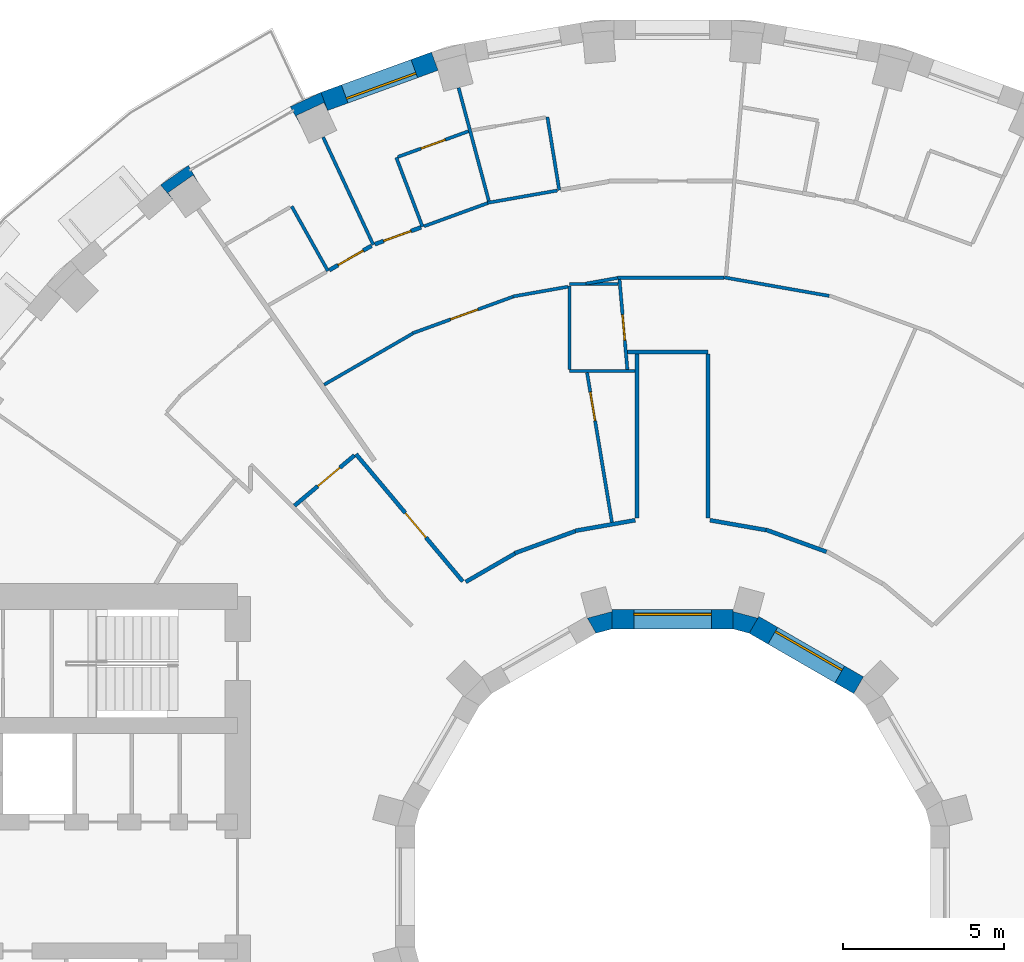
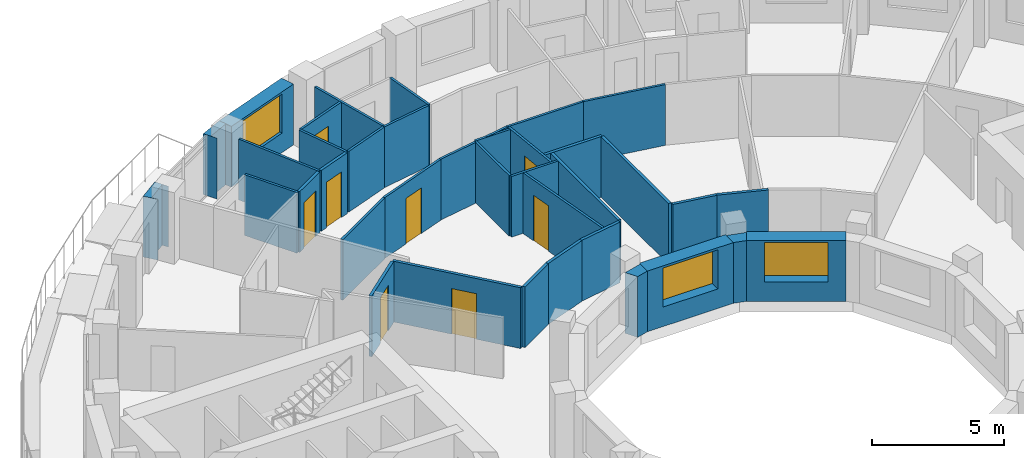
# One storey, part 11 of 15: 38 walls, 8 doors, 3 windows, 11 openings.
"""IFC4 building model written with IfcOpenShell, lengths in metres."""

import ifcopenshell
import ifcopenshell.guid

model = None  # the IFC model being written
_history = None  # IfcOwnerHistory: only IFC2X3 demands one
_inside = {}  # id of a spatial element -> (the spatial element, [elements in it])
_under = {}  # id of a project, library or spatial element -> (it, [spatial elements below it])
_declared = {}  # id of a project -> (the project, [libraries it declares])
_typed = {}  # id of a type object -> (the type object, [elements of that type])
_made_of = {}  # id of a material, layer set ... -> (it, [elements and type objects made of it])


def new_model(schema):
    """Start an empty IFC model of exactly this schema.

    Asked for "IFC4X3", IfcOpenShell would pick the latest addendum, in which some entities
    have other attributes; the version numbers below select the first issue.
    IFC2X3 requires an IfcOwnerHistory on every rooted entity: one is made here for all.
    """
    global model, _history
    if schema == "IFC4X3":
        model = ifcopenshell.file(schema_version=(4, 3, 0, 0))
    else:
        model = ifcopenshell.file(schema=schema)
    _inside.clear()
    _under.clear()
    _declared.clear()
    _typed.clear()
    _made_of.clear()
    _history = None
    if model.schema == "IFC2X3":
        org = make("IfcOrganization", Name="unknown")
        user = make(
            "IfcPersonAndOrganization",
            ThePerson=make("IfcPerson", FamilyName="unknown"),
            TheOrganization=org,
        )
        app = make(
            "IfcApplication",
            ApplicationDeveloper=org,
            Version="unknown",
            ApplicationFullName="unknown",
            ApplicationIdentifier="unknown",
        )
        _history = make(
            "IfcOwnerHistory",
            OwningUser=user,
            OwningApplication=app,
            ChangeAction="ADDED",
            CreationDate=0,
        )
    return model


def make(cls, **values):
    """One entity of the class cls with the attributes given. An attribute that is None is left unset."""
    return model.create_entity(
        cls, **{name: value for name, value in values.items() if value is not None}
    )


def rooted(cls, **values):
    """An entity with a GlobalId (a new one), such as an element, a storey or a relation."""
    return make(cls, GlobalId=ifcopenshell.guid.new(), OwnerHistory=_history, **values)


def si_unit(unit_type, name, prefix=None):
    """IfcSIUnit, for example si_unit("LENGTHUNIT", "METRE", prefix="MILLI")."""
    return make("IfcSIUnit", UnitType=unit_type, Prefix=prefix, Name=name)


def assignment(units):
    """IfcUnitAssignment: the units of a project."""
    return None if units is None else make("IfcUnitAssignment", Units=units)


def point(xyz):
    """IfcCartesianPoint."""
    return None if xyz is None else make("IfcCartesianPoint", Coordinates=xyz)


def direction(xyz):
    """IfcDirection."""
    return None if xyz is None else make("IfcDirection", DirectionRatios=xyz)


def frame(location, z_axis=None, x_axis=None):
    """IfcAxis2Placement3D, a coordinate frame: its origin and axes. An axis left out is left unset."""
    return make(
        "IfcAxis2Placement3D",
        Location=point(location),
        Axis=direction(z_axis),
        RefDirection=direction(x_axis),
    )


def frame_2d(location, x_axis=None):
    """IfcAxis2Placement2D, a coordinate frame in the plane: its origin and x axis."""
    return make(
        "IfcAxis2Placement2D", Location=point(location), RefDirection=direction(x_axis)
    )


def origin():
    """The frame at (0, 0, 0) with its axes left unset."""
    return frame((0.0, 0.0, 0.0))


def place(relative_to, where):
    """IfcLocalPlacement: puts the frame where relative to a parent placement (None: the world)."""
    return make(
        "IfcLocalPlacement", PlacementRelTo=relative_to, RelativePlacement=where
    )


def context(
    kind, dimensions, precision=None, world=None, true_north=None, identifier=None
):
    """IfcGeometricRepresentationContext, for example the 3D "Model" context."""
    return make(
        "IfcGeometricRepresentationContext",
        ContextIdentifier=identifier,
        ContextType=kind,
        CoordinateSpaceDimension=dimensions,
        Precision=precision,
        WorldCoordinateSystem=world,
        TrueNorth=true_north,
    )


def subcontext(parent, identifier, kind, view, scale=None):
    """IfcGeometricRepresentationSubContext, for example "Body" below "Model"."""
    return make(
        "IfcGeometricRepresentationSubContext",
        ContextIdentifier=identifier,
        ContextType=kind,
        ParentContext=parent,
        TargetScale=scale,
        TargetView=view,
    )


def project(units=None, contexts=None):
    """IfcProject with its units and contexts."""
    return rooted(
        "IfcProject",
        Name="project",
        RepresentationContexts=contexts,
        UnitsInContext=assignment(units),
    )


def spatial(cls, under=None, at=None, **own):
    """A site, building, storey or space (cls), placed at a placement, below another one or the project."""
    s = rooted(cls, ObjectPlacement=at, **own)
    if under is not None:
        _under.setdefault(under.id(), (under, []))[1].append(s)
    return s


def polyline(points):
    """IfcPolyline through the points."""
    return make("IfcPolyline", Points=[point(p) for p in points])


def profile(cls, at=None, kind="AREA", **sizes):
    """A parametric profile (cls). Its sizes go by their IFC names, for example OverallWidth=200.0."""
    return make(cls, ProfileType=kind, Position=at, **sizes)


def rectangle(**sizes):
    """IfcRectangleProfileDef."""
    return profile("IfcRectangleProfileDef", **sizes)


def outline(outer, holes=None, kind="AREA"):
    """IfcArbitraryClosedProfileDef: a profile drawn as a closed curve; with holes, ...WithVoids."""
    if holes is None:
        return make("IfcArbitraryClosedProfileDef", ProfileType=kind, OuterCurve=outer)
    return make(
        "IfcArbitraryProfileDefWithVoids",
        ProfileType=kind,
        OuterCurve=outer,
        InnerCurves=holes,
    )


def extrude(swept, where, along, depth):
    """IfcExtrudedAreaSolid: the profile swept, set in the frame where, extruded along a direction by depth."""
    return make(
        "IfcExtrudedAreaSolid",
        SweptArea=swept,
        Position=where,
        ExtrudedDirection=direction(along),
        Depth=depth,
    )


def shape(context_of_items, identifier, shape_type, items):
    """IfcShapeRepresentation: the items that make up one representation, for example the "Body"."""
    return make(
        "IfcShapeRepresentation",
        ContextOfItems=context_of_items,
        RepresentationIdentifier=identifier,
        RepresentationType=shape_type,
        Items=items,
    )


def material(Name=None, Category=None):
    """IfcMaterial."""
    return make("IfcMaterial", Name=Name, Category=Category)


def layer(
    of_material, thickness, ventilated=None, Name=None, Category=None, Priority=None
):
    """IfcMaterialLayer: one layer of a wall or slab, of a material (None: an air gap)."""
    return make(
        "IfcMaterialLayer",
        Material=of_material,
        LayerThickness=thickness,
        IsVentilated=ventilated,
        Name=Name,
        Category=Category,
        Priority=Priority,
    )


def layer_set(layers, Name=None):
    """IfcMaterialLayerSet."""
    return make("IfcMaterialLayerSet", MaterialLayers=layers, LayerSetName=Name)


def made_of(thing, what):
    """Note that an element or type object is made of a material, layer set ...; save() writes the relation."""
    if what is not None:
        _made_of.setdefault(what.id(), (what, []))[1].append(thing)
    return thing


def type_object(cls, material=None, **own):
    """A type object (cls), such as IfcWallType, which elements share."""
    return made_of(rooted(cls, **own), material)


def element(
    cls,
    number,
    at=None,
    inside=None,
    cuts=None,
    type_object=None,
    material=None,
    context=None,
    identifier="Body",
    shape_type=None,
    held_by="IfcProductDefinitionShape",
    body=None,
    shapes=None,
    **own,
):
    """One element of the class cls, such as IfcWall. Its Tag is "e" and its number.

    at: its placement. inside: the storey or other place that contains it. cuts: it is an
    opening in that element (IfcRelVoidsElement). A single representation is given by context,
    identifier, shape_type and body (its items); several are given by shapes. held_by: the class
    of the entity that holds the representations. save() writes the other relations.
    """
    e = rooted(cls, Tag="e%d" % number, ObjectPlacement=at, **own)
    if body is not None:
        shapes = [shape(context, identifier, shape_type, body)]
    if shapes is not None:
        e.Representation = make(held_by, Representations=shapes)
    if inside is not None:
        _inside.setdefault(inside.id(), (inside, []))[1].append(e)
    if cuts is not None:
        rooted(
            "IfcRelVoidsElement", RelatingBuildingElement=cuts, RelatedOpeningElement=e
        )
    if type_object is not None:
        _typed.setdefault(type_object.id(), (type_object, []))[1].append(e)
    return made_of(e, material)


def fill(opening, filler):
    """IfcRelFillsElement: the door or window that sits in an opening."""
    return rooted(
        "IfcRelFillsElement",
        RelatingOpeningElement=opening,
        RelatedBuildingElement=filler,
    )


def aggregate(whole, parts):
    """IfcRelAggregates: a whole, such as a stair, and the parts it consists of."""
    return rooted("IfcRelAggregates", RelatingObject=whole, RelatedObjects=parts)


def save(model, path):
    """Write the relations noted so far, then the file.

    IfcRelAggregates (storeys below a building ...), IfcRelContainedInSpatialStructure (elements
    in a storey), IfcRelDefinesByType, IfcRelAssociatesMaterial and IfcRelDeclares: one each for
    every whole, place, type object, material and project.
    """
    for whole, parts in _under.values():
        aggregate(whole, parts)
    for where, things in _inside.values():
        rooted(
            "IfcRelContainedInSpatialStructure",
            RelatedElements=things,
            RelatingStructure=where,
        )
    for kind, things in _typed.values():
        rooted("IfcRelDefinesByType", RelatedObjects=things, RelatingType=kind)
    for what, things in _made_of.values():
        rooted("IfcRelAssociatesMaterial", RelatedObjects=things, RelatingMaterial=what)
    for by, libraries in _declared.values():
        rooted("IfcRelDeclares", RelatingContext=by, RelatedDefinitions=libraries)
    model.write(path)


model = new_model("IFC4")

# Units and contexts
model_context = context("Model", 3, precision=1e-05, world=origin(), true_north=direction((0.0, 1.0)))
body_context = subcontext(model_context, "Body", "Model", "MODEL_VIEW")
ifc_project = project(units=[si_unit("LENGTHUNIT", "METRE"), si_unit("AREAUNIT", "SQUARE_METRE"), si_unit("VOLUMEUNIT", "CUBIC_METRE"), si_unit("PLANEANGLEUNIT", "RADIAN"), si_unit("MASSUNIT", "GRAM", prefix="KILO")], contexts=[model_context])

# Site, building, storey
site_placement = place(None, origin())
site = spatial("IfcSite", under=ifc_project, at=site_placement, CompositionType="ELEMENT")
building_placement = place(site_placement, origin())
building = spatial("IfcBuilding", under=site, at=building_placement, Name="Saqina Gate Tower", CompositionType="ELEMENT")
storey_placement = place(building_placement, frame((0.0, 0.0, 108.39990234375)))
storey = spatial("IfcBuildingStorey", under=building, at=storey_placement, Name="L30", CompositionType="ELEMENT", Elevation=108.39990234375)

# Walls
ifc_material_1 = material(Name="Brick masonry (buff)", Category="masonry")
wall_type_1 = type_object("IfcWallType", Name="BRICK PIER COPING BUFF", PredefinedType="SOLIDWALL", material=ifc_material_1)
wall_1_placement = place(storey_placement, origin())
element("IfcWall", 1, at=wall_1_placement, inside=storey, type_object=wall_type_1, Name="Pier cap L30 column 12", PredefinedType="SOLIDWALL", context=body_context, shape_type="SweptSolid", body=[
    extrude(outline(polyline([(-10.913330078125, 24.6513671875), (-11.869140625, 24.205810546875), (-11.569091796875, 23.68603515625), (-11.6826171875, 23.9296875), (-10.82177734375, 24.331298828125), (-10.7080078125, 24.08740234375), (-10.913330078125, 24.6513671875)])), origin(), (0.0, 0.0, 1.0), 2.800048828125),
])
wall_2_placement = place(storey_placement, origin())
element("IfcWall", 2, at=wall_2_placement, inside=storey, type_object=wall_type_1, Name="Pier cap L30 column 13", PredefinedType="SOLIDWALL", context=body_context, shape_type="SweptSolid", body=[
    extrude(outline(polyline([(-15.89208984375, 21.77685546875), (-15.50634765625, 21.317138671875), (-15.66064453125, 21.53759765625), (-14.88232421875, 22.08251953125), (-14.728271484375, 21.862060546875), (-15.0283203125, 22.3818359375), (-15.89208984375, 21.77685546875)])), origin(), (0.0, 0.0, 1.0), 2.800048828125),
])

# Wall, opening, window
ifc_material_2 = material(Name="Brick masonry (buff)", Category="masonry")
ifc_layer_1 = layer(ifc_material_2, 0.60009765625)
ifc_layer_set_1 = layer_set([ifc_layer_1], Name="FW-BRICK-BUFF")
wall_type_2 = type_object("IfcWallType", Name="FW-BRICK-BUFF", PredefinedType="SOLIDWALL", material=ifc_layer_set_1)
wall_3_placement = place(storey_placement, frame((-7.3828125, 25.616943359375, 0.0), z_axis=(0.0, 0.0, 1.0), x_axis=(-0.939703505393, -0.341990236633, 0.0)))
wall_3 = element("IfcWall", 3, at=wall_3_placement, inside=storey, type_object=wall_type_2, Name="Facade wall L30 facet 11", PredefinedType="SOLIDWALL", context=body_context, shape_type="SweptSolid", body=[
    extrude(rectangle(XDim=3.64794921875, YDim=0.60009765625, at=frame_2d((1.823974609375, 0.0))), origin(), (0.0, 0.0, 1.0), 2.800048828125),
])
opening_1_placement = place(wall_3_placement, frame((0.673828125, 0.0, 0.89990234375)))
opening_1 = element("IfcOpeningElement", 4, at=opening_1_placement, cuts=wall_3, Name="Opening G08-W09", PredefinedType="OPENING", context=body_context, shape_type="SweptSolid", body=[
    extrude(rectangle(XDim=2.300048828125, YDim=1.800048828125, at=frame_2d((1.14990234375, 0.89990234375))), frame((0.0, 0.31201171875, 0.0), z_axis=(0.0, -1.0, 0.0), x_axis=(1.0, 0.0, 0.0)), (0.0, 0.0, 1.0), 0.6240234375),
])
ifc_material_3 = material(Name="Aluminium glazing", Category="aluminium")
window_type_1 = type_object("IfcWindowType", Name="WN-B", PartitioningType="SINGLE_PANEL", PredefinedType="WINDOW", material=ifc_material_3)
window_1_placement = place(opening_1_placement, origin())
window_1 = element("IfcWindow", 5, at=window_1_placement, inside=storey, type_object=window_type_1, Name="Window L30 facet 11", OverallHeight=1.800048828125, OverallWidth=2.300048828125, PartitioningType="SINGLE_PANEL", PredefinedType="WINDOW", context=body_context, shape_type="SweptSolid", body=[
    extrude(rectangle(XDim=2.300048828125, YDim=1.800048828125, at=frame_2d((1.14990234375, 0.89990234375))), frame((0.0, 0.179931640625, 0.0), z_axis=(0.0, -1.0, 0.0), x_axis=(1.0, 0.0, 0.0)), (0.0, 0.0, 1.0), 0.06005859375),
])
fill(opening_1, window_1)

ifc_material_4 = material(Name="Glazed ceramic tile", Category="ceramic")
ifc_layer_2 = layer(ifc_material_4, 0.60009765625)
ifc_layer_set_2 = layer_set([ifc_layer_2], Name="IW-TILE")
wall_type_3 = type_object("IfcWallType", Name="IW-TILE", PredefinedType="SOLIDWALL", material=ifc_layer_set_2)
wall_4_placement = place(storey_placement, frame((5.772705078125, 6.251220703125, 0.0), z_axis=(0.0, 0.0, 1.0), x_axis=(-0.86604563398, 0.499964958637, 0.0)))
wall_4 = element("IfcWall", 6, at=wall_4_placement, inside=storey, type_object=wall_type_3, Name="Well wall L30 facet 2", PredefinedType="SOLIDWALL", context=body_context, shape_type="SweptSolid", body=[
    extrude(rectangle(XDim=3.747314453125, YDim=0.60009765625, at=frame_2d((1.87353515625, 0.0))), origin(), (0.0, 0.0, 1.0), 2.800048828125),
])
opening_2_placement = place(wall_4_placement, frame((0.673583984375, 0.0, 0.89990234375)))
opening_2 = element("IfcOpeningElement", 7, at=opening_2_placement, cuts=wall_4, Name="Opening G08-W24", PredefinedType="OPENING", context=body_context, shape_type="SweptSolid", body=[
    extrude(rectangle(XDim=2.39990234375, YDim=1.800048828125, at=frame_2d((1.199951171875, 0.89990234375))), frame((0.0, 0.31201171875, 0.0), z_axis=(0.0, -1.0, 0.0), x_axis=(1.0, 0.0, 0.0)), (0.0, 0.0, 1.0), 0.6240234375),
])
ifc_material_5 = material(Name="Aluminium glazing", Category="aluminium")
window_type_2 = type_object("IfcWindowType", Name="WN-W", PartitioningType="SINGLE_PANEL", PredefinedType="WINDOW", material=ifc_material_5)
window_2_placement = place(opening_2_placement, origin())
window_2 = element("IfcWindow", 8, at=window_2_placement, inside=storey, type_object=window_type_2, Name="Well window L30 facet 2", OverallHeight=1.800048828125, OverallWidth=2.39990234375, PartitioningType="SINGLE_PANEL", PredefinedType="WINDOW", context=body_context, shape_type="SweptSolid", body=[
    extrude(rectangle(XDim=2.39990234375, YDim=1.800048828125, at=frame_2d((1.199951171875, 0.89990234375))), frame((0.0, -0.119873046875, 0.0), z_axis=(0.0, -1.0, 0.0), x_axis=(1.0, 0.0, 0.0)), (0.0, 0.0, 1.0), 0.06005859375),
])
fill(opening_2, window_2)

wall_5_placement = place(storey_placement, frame((1.873779296875, 8.300048828125, 0.0), z_axis=(0.0, 0.0, 1.0), x_axis=(-1.0, 0.0, 0.0)))
wall_5 = element("IfcWall", 9, at=wall_5_placement, inside=storey, type_object=wall_type_3, Name="Well wall L30 facet 3", PredefinedType="SOLIDWALL", context=body_context, shape_type="SweptSolid", body=[
    extrude(rectangle(XDim=3.74755859375, YDim=0.60009765625, at=frame_2d((1.873779296875, 0.0))), origin(), (0.0, 0.0, 1.0), 2.800048828125),
])
opening_3_placement = place(wall_5_placement, frame((0.673583984375, 0.0, 0.89990234375)))
opening_3 = element("IfcOpeningElement", 10, at=opening_3_placement, cuts=wall_5, Name="Opening G08-W25", PredefinedType="OPENING", context=body_context, shape_type="SweptSolid", body=[
    extrude(rectangle(XDim=2.39990234375, YDim=1.800048828125, at=frame_2d((1.199951171875, 0.89990234375))), frame((0.0, 0.31201171875, 0.0), z_axis=(0.0, -1.0, 0.0), x_axis=(1.0, 0.0, 0.0)), (0.0, 0.0, 1.0), 0.6240234375),
])
window_3_placement = place(opening_3_placement, origin())
window_3 = element("IfcWindow", 11, at=window_3_placement, inside=storey, type_object=window_type_2, Name="Well window L30 facet 3", OverallHeight=1.800048828125, OverallWidth=2.39990234375, PartitioningType="SINGLE_PANEL", PredefinedType="WINDOW", context=body_context, shape_type="SweptSolid", body=[
    extrude(rectangle(XDim=2.39990234375, YDim=1.800048828125, at=frame_2d((1.199951171875, 0.89990234375))), frame((0.0, -0.119873046875, 0.0), z_axis=(0.0, -1.0, 0.0), x_axis=(1.0, 0.0, 0.0)), (0.0, 0.0, 1.0), 0.06005859375),
])
fill(opening_3, window_3)

# Wall, opening, door
ifc_material_6 = material(Name="Gypsum board on steel studs, 100 mm", Category="steel")
ifc_layer_3 = layer(ifc_material_6, 0.10009765625)
ifc_layer_set_3 = layer_set([ifc_layer_3], Name="PARTITION 100")
wall_type_4 = type_object("IfcWallType", Name="PARTITION 100", PredefinedType="PARTITIONING", material=ifc_layer_set_3)
wall_6_placement = place(storey_placement, frame((-1.64892578125, 18.84912109375, 0.0), z_axis=(0.0, 0.0, 1.0), x_axis=(0.087061215869, -0.996202963603, 0.0)))
wall_6 = element("IfcWall", 12, at=wall_6_placement, inside=storey, type_object=wall_type_4, Name="PARTITION PW3-01", PredefinedType="PARTITIONING", context=body_context, shape_type="SweptSolid", body=[
    extrude(rectangle(XDim=2.80712890625, YDim=0.10009765625, at=frame_2d((1.403564453125, 0.0))), origin(), (0.0, 0.0, 1.0), 2.800048828125),
])
opening_4_placement = place(wall_6_placement, frame((1.103271484375, 0.0, 0.0)))
opening_4 = element("IfcOpeningElement", 13, at=opening_4_placement, cuts=wall_6, Name="Opening G08-D10", PredefinedType="OPENING", context=body_context, shape_type="SweptSolid", body=[
    extrude(rectangle(XDim=0.800048828125, YDim=2.10009765625, at=frame_2d((0.39990234375, 1.050048828125))), frame((0.0, 0.06201171875, 0.0), z_axis=(0.0, -1.0, 0.0), x_axis=(1.0, 0.0, 0.0)), (0.0, 0.0, 1.0), 0.1240234375),
])
ifc_material_7 = material(Name="Timber door leaf, 800 mm", Category="wood")
door_type_1 = type_object("IfcDoorType", Name="DOOR 800 TIMBER", OperationType="SINGLE_SWING_LEFT", PredefinedType="DOOR", material=ifc_material_7)
door_1_placement = place(opening_4_placement, origin())
door_1 = element("IfcDoor", 14, at=door_1_placement, inside=storey, type_object=door_type_1, Name="DOOR G08-D10", OperationType="SINGLE_SWING_RIGHT", OverallHeight=2.10009765625, OverallWidth=0.800048828125, PredefinedType="DOOR", context=body_context, shape_type="SweptSolid", body=[
    extrude(rectangle(XDim=0.800048828125, YDim=2.10009765625, at=frame_2d((0.39990234375, 1.050048828125))), frame((0.0, 0.02490234375, 0.0), z_axis=(0.0, -1.0, 0.0), x_axis=(1.0, 0.0, 0.0)), (0.0, 0.0, 1.0), 0.050048828125),
])
fill(opening_4, door_1)

# Wall
wall_7_placement = place(storey_placement, frame((-3.886962890625, 23.885009765625, 0.0), z_axis=(0.0, 0.0, 1.0), x_axis=(0.160403826344, -0.987051474085, 0.0)))
element("IfcWall", 15, at=wall_7_placement, inside=storey, type_object=wall_type_4, Name="PARTITION PW3-03", PredefinedType="PARTITIONING", context=body_context, shape_type="SweptSolid", body=[
    extrude(rectangle(XDim=2.2998046875, YDim=0.10009765625, at=frame_2d((1.14990234375, 0.0))), origin(), (0.0, 0.0, 1.0), 2.800048828125),
])

# Wall, opening, door
wall_8_placement = place(storey_placement, frame((-2.654541015625, 15.95068359375, 0.0), z_axis=(0.0, 0.0, 1.0), x_axis=(0.164012054584, -0.986458334625, 0.0)))
wall_8 = element("IfcWall", 16, at=wall_8_placement, inside=storey, type_object=wall_type_4, Name="PARTITION PW3-05", PredefinedType="PARTITIONING", context=body_context, shape_type="SweptSolid", body=[
    extrude(rectangle(XDim=4.706787109375, YDim=0.10009765625, at=frame_2d((2.353515625, 0.0))), origin(), (0.0, 0.0, 1.0), 2.800048828125),
])
opening_5_placement = place(wall_8_placement, frame((0.609619140625, 0.0, 0.0)))
opening_5 = element("IfcOpeningElement", 17, at=opening_5_placement, cuts=wall_8, Name="Opening G08-D11", PredefinedType="OPENING", context=body_context, shape_type="SweptSolid", body=[
    extrude(rectangle(XDim=0.89990234375, YDim=2.10009765625, at=frame_2d((0.449951171875, 1.050048828125))), frame((0.0, 0.06201171875, 0.0), z_axis=(0.0, -1.0, 0.0), x_axis=(1.0, 0.0, 0.0)), (0.0, 0.0, 1.0), 0.1240234375),
])
ifc_material_8 = material(Name="Timber door leaf, 900 mm", Category="wood")
door_type_2 = type_object("IfcDoorType", Name="DOOR 900 TIMBER", OperationType="SINGLE_SWING_LEFT", PredefinedType="DOOR", material=ifc_material_8)
door_2_placement = place(opening_5_placement, frame((0.89990234375, 0.0, 0.0), z_axis=(0.0, 0.0, 1.0), x_axis=(-1.0, 0.0, 0.0)))
door_2 = element("IfcDoor", 18, at=door_2_placement, inside=storey, type_object=door_type_2, Name="DOOR G08-D11", OperationType="SINGLE_SWING_RIGHT", OverallHeight=2.10009765625, OverallWidth=0.89990234375, PredefinedType="DOOR", context=body_context, shape_type="SweptSolid", body=[
    extrude(rectangle(XDim=0.89990234375, YDim=2.10009765625, at=frame_2d((0.449951171875, 1.050048828125))), frame((0.0, 0.02490234375, 0.0), z_axis=(0.0, -1.0, 0.0), x_axis=(1.0, 0.0, 0.0)), (0.0, 0.0, 1.0), 0.050048828125),
])
fill(opening_5, door_2)

# Walls
wall_9_placement = place(storey_placement, frame((-6.642333984375, 24.79052734375, 0.0), z_axis=(0.0, 0.0, 1.0), x_axis=(0.258373404153, -0.966045125254, 0.0)))
element("IfcWall", 19, at=wall_9_placement, inside=storey, type_object=wall_type_4, Name="PARTITION PW3-07", PredefinedType="PARTITIONING", context=body_context, shape_type="SweptSolid", body=[
    extrude(rectangle(XDim=3.634033203125, YDim=0.10009765625, at=frame_2d((1.81689453125, 0.0))), origin(), (0.0, 0.0, 1.0), 2.800048828125),
])
wall_10_placement = place(storey_placement, frame((-8.575927734375, 22.62890625, 0.0), z_axis=(0.0, 0.0, 1.0), x_axis=(0.354308635081, -0.935128542558, 0.0)))
element("IfcWall", 20, at=wall_10_placement, inside=storey, type_object=wall_type_4, Name="PARTITION PW3-11", PredefinedType="PARTITIONING", context=body_context, shape_type="SweptSolid", body=[
    extrude(rectangle(XDim=2.300048828125, YDim=0.10009765625, at=frame_2d((1.14990234375, 0.0))), origin(), (0.0, 0.0, 1.0), 2.800048828125),
])
wall_11_placement = place(storey_placement, frame((-10.8466796875, 23.26025390625, 0.0), z_axis=(0.0, 0.0, 1.0), x_axis=(0.422500901097, -0.906362503953, 0.0)))
element("IfcWall", 21, at=wall_11_placement, inside=storey, type_object=wall_type_4, Name="PARTITION PW3-12", PredefinedType="PARTITIONING", context=body_context, shape_type="SweptSolid", body=[
    extrude(rectangle(XDim=3.684326171875, YDim=0.10009765625, at=frame_2d((1.84228515625, 0.0))), origin(), (0.0, 0.0, 1.0), 2.800048828125),
])
wall_12_placement = place(storey_placement, frame((-11.822021484375, 21.114990234375, 0.0), z_axis=(0.0, 0.0, 1.0), x_axis=(0.488622759198, -0.872495157117, 0.0)))
element("IfcWall", 22, at=wall_12_placement, inside=storey, type_object=wall_type_4, Name="PARTITION PW3-14", PredefinedType="PARTITIONING", context=body_context, shape_type="SweptSolid", body=[
    extrude(rectangle(XDim=2.30029296875, YDim=0.10009765625, at=frame_2d((1.150146484375, 0.0))), origin(), (0.0, 0.0, 1.0), 2.800048828125),
])
wall_13_placement = place(storey_placement, frame((1.60302734375, 18.90771484375, 0.0), z_axis=(0.0, 0.0, 1.0), x_axis=(0.984831814927, -0.173511660439, 0.0)))
element("IfcWall", 23, at=wall_13_placement, inside=storey, type_object=wall_type_4, Name="PARTITION PW3-39", PredefinedType="PARTITIONING", context=body_context, shape_type="SweptSolid", body=[
    extrude(rectangle(XDim=3.30810546875, YDim=0.10009765625, at=frame_2d((1.654052734375, 0.0))), origin(), (0.0, 0.0, 1.0), 2.800048828125),
])
wall_14_placement = place(storey_placement, frame((-3.199951171875, 16.0, 0.0), z_axis=(0.0, 0.0, 1.0), x_axis=(1.0, 0.0, 0.0)))
element("IfcWall", 24, at=wall_14_placement, inside=storey, type_object=wall_type_4, Name="PARTITION PW3-44", PredefinedType="PARTITIONING", context=body_context, shape_type="SweptSolid", body=[
    extrude(rectangle(XDim=2.037353515625, YDim=0.10009765625, at=frame_2d((1.0185546875, 0.0))), origin(), (0.0, 0.0, 1.0), 2.800048828125),
])
wall_15_placement = place(storey_placement, frame((-3.197998046875, 18.699951171875, 0.0), z_axis=(0.0, 0.0, 1.0), x_axis=(1.0, 0.0, 0.0)))
element("IfcWall", 25, at=wall_15_placement, inside=storey, type_object=wall_type_4, Name="PARTITION PW3-45", PredefinedType="PARTITIONING", context=body_context, shape_type="SweptSolid", body=[
    extrude(rectangle(XDim=1.510986328125, YDim=0.10009765625, at=frame_2d((0.75537109375, 0.0))), origin(), (0.0, 0.0, 1.0), 2.800048828125),
])
wall_16_placement = place(storey_placement, frame((-1.703857421875, 18.89892578125, 0.0), z_axis=(0.0, 0.0, 1.0), x_axis=(1.0, 0.0, 0.0)))
element("IfcWall", 26, at=wall_16_placement, inside=storey, type_object=wall_type_4, Name="PARTITION PW3-46", PredefinedType="PARTITIONING", context=body_context, shape_type="SweptSolid", body=[
    extrude(rectangle(XDim=3.306884765625, YDim=0.10009765625, at=frame_2d((1.6533203125, 0.0))), origin(), (0.0, 0.0, 1.0), 2.800048828125),
])
wall_17_placement = place(storey_placement, frame((-4.959716796875, 18.3154296875, 0.0), z_axis=(0.0, 0.0, 1.0), x_axis=(0.984767989426, 0.173873537385, 0.0)))
element("IfcWall", 27, at=wall_17_placement, inside=storey, type_object=wall_type_4, Name="PARTITION PW3-50", PredefinedType="PARTITIONING", context=body_context, shape_type="SweptSolid", body=[
    extrude(rectangle(XDim=1.73681640625, YDim=0.10009765625, at=frame_2d((0.868408203125, 0.0))), origin(), (0.0, 0.0, 1.0), 2.800048828125),
])
wall_18_placement = place(storey_placement, frame((-2.6923828125, 18.715576171875, 0.0), z_axis=(0.0, 0.0, 1.0), x_axis=(0.984773780307, 0.173840736366, 0.0)))
element("IfcWall", 28, at=wall_18_placement, inside=storey, type_object=wall_type_4, Name="PARTITION PW3-51", PredefinedType="PARTITIONING", context=body_context, shape_type="SweptSolid", body=[
    extrude(rectangle(XDim=1.005615234375, YDim=0.10009765625, at=frame_2d((0.5029296875, 0.0))), origin(), (0.0, 0.0, 1.0), 2.800048828125),
])
wall_19_placement = place(storey_placement, frame((-5.739013671875, 21.22314453125, 0.0), z_axis=(0.0, 0.0, 1.0), x_axis=(0.984781317039, 0.173798036845, 0.0)))
element("IfcWall", 29, at=wall_19_placement, inside=storey, type_object=wall_type_4, Name="PARTITION PW3-52", PredefinedType="PARTITIONING", context=body_context, shape_type="SweptSolid", body=[
    extrude(rectangle(XDim=2.19287109375, YDim=0.10009765625, at=frame_2d((1.096435546875, 0.0))), origin(), (0.0, 0.0, 1.0), 2.800048828125),
])

# Wall, opening, door
wall_20_placement = place(storey_placement, frame((-8.065673828125, 17.1767578125, 0.0), z_axis=(0.0, 0.0, 1.0), x_axis=(0.939726606236, 0.341926754629, 0.0)))
wall_20 = element("IfcWall", 30, at=wall_20_placement, inside=storey, type_object=wall_type_4, Name="PARTITION PW3-57", PredefinedType="PARTITIONING", context=body_context, shape_type="SweptSolid", body=[
    extrude(rectangle(XDim=3.30810546875, YDim=0.10009765625, at=frame_2d((1.654052734375, 0.0))), origin(), (0.0, 0.0, 1.0), 2.800048828125),
])
opening_6_placement = place(wall_20_placement, frame((1.25439453125, 0.0, 0.0)))
opening_6 = element("IfcOpeningElement", 31, at=opening_6_placement, cuts=wall_20, Name="Opening G08-D14", PredefinedType="OPENING", context=body_context, shape_type="SweptSolid", body=[
    extrude(rectangle(XDim=0.89990234375, YDim=2.10009765625, at=frame_2d((0.449951171875, 1.050048828125))), frame((0.0, 0.06201171875, 0.0), z_axis=(0.0, -1.0, 0.0), x_axis=(1.0, 0.0, 0.0)), (0.0, 0.0, 1.0), 0.1240234375),
])
door_3_placement = place(opening_6_placement, frame((0.89990234375, 0.0, 0.0), z_axis=(0.0, 0.0, 1.0), x_axis=(-1.0, 0.0, 0.0)))
door_3 = element("IfcDoor", 32, at=door_3_placement, inside=storey, type_object=door_type_2, Name="DOOR G08-D14", OperationType="SINGLE_SWING_LEFT", OverallHeight=2.10009765625, OverallWidth=0.89990234375, PredefinedType="DOOR", context=body_context, shape_type="SweptSolid", body=[
    extrude(rectangle(XDim=0.89990234375, YDim=2.10009765625, at=frame_2d((0.449951171875, 1.050048828125))), frame((0.0, 0.02490234375, 0.0), z_axis=(0.0, -1.0, 0.0), x_axis=(1.0, 0.0, 0.0)), (0.0, 0.0, 1.0), 0.050048828125),
])
fill(opening_6, door_3)

# Wall
wall_21_placement = place(storey_placement, frame((-7.714111328125, 20.4951171875, 0.0), z_axis=(0.0, 0.0, 1.0), x_axis=(0.939725675468, 0.341929312674, 0.0)))
element("IfcWall", 33, at=wall_21_placement, inside=storey, type_object=wall_type_4, Name="PARTITION PW3-58", PredefinedType="PARTITIONING", context=body_context, shape_type="SweptSolid", body=[
    extrude(rectangle(XDim=2.10498046875, YDim=0.10009765625, at=frame_2d((1.052490234375, 0.0))), origin(), (0.0, 0.0, 1.0), 2.800048828125),
])

# Wall, opening, door
wall_22_placement = place(storey_placement, frame((-8.529052734375, 22.64599609375, 0.0), z_axis=(0.0, 0.0, 1.0), x_axis=(0.939707949959, 0.341978023831, 0.0)))
wall_22 = element("IfcWall", 34, at=wall_22_placement, inside=storey, type_object=wall_type_4, Name="PARTITION PW3-59", PredefinedType="PARTITIONING", context=body_context, shape_type="SweptSolid", body=[
    extrude(rectangle(XDim=2.3359375, YDim=0.10009765625, at=frame_2d((1.16796875, 0.0))), origin(), (0.0, 0.0, 1.0), 2.800048828125),
])
opening_7_placement = place(wall_22_placement, frame((0.767822265625, 0.0, 0.0)))
opening_7 = element("IfcOpeningElement", 35, at=opening_7_placement, cuts=wall_22, Name="Opening G08-D13", PredefinedType="OPENING", context=body_context, shape_type="SweptSolid", body=[
    extrude(rectangle(XDim=0.800048828125, YDim=2.10009765625, at=frame_2d((0.39990234375, 1.050048828125))), frame((0.0, 0.06201171875, 0.0), z_axis=(0.0, -1.0, 0.0), x_axis=(1.0, 0.0, 0.0)), (0.0, 0.0, 1.0), 0.1240234375),
])
door_4_placement = place(opening_7_placement, origin())
door_4 = element("IfcDoor", 36, at=door_4_placement, inside=storey, type_object=door_type_1, Name="DOOR G08-D13", OperationType="SINGLE_SWING_LEFT", OverallHeight=2.10009765625, OverallWidth=0.800048828125, PredefinedType="DOOR", context=body_context, shape_type="SweptSolid", body=[
    extrude(rectangle(XDim=0.800048828125, YDim=2.10009765625, at=frame_2d((0.39990234375, 1.050048828125))), frame((0.0, 0.02490234375, 0.0), z_axis=(0.0, -1.0, 0.0), x_axis=(1.0, 0.0, 0.0)), (0.0, 0.0, 1.0), 0.050048828125),
])
fill(opening_7, door_4)

# Walls
wall_23_placement = place(storey_placement, frame((-10.81591796875, 15.57763671875, 0.0), z_axis=(0.0, 0.0, 1.0), x_axis=(0.865900530636, 0.500216224292, 0.0)))
element("IfcWall", 37, at=wall_23_placement, inside=storey, type_object=wall_type_4, Name="PARTITION PW3-65", PredefinedType="PARTITIONING", context=body_context, shape_type="SweptSolid", body=[
    extrude(rectangle(XDim=3.18115234375, YDim=0.10009765625, at=frame_2d((1.590576171875, 0.0))), origin(), (0.0, 0.0, 1.0), 2.800048828125),
])
wall_24_placement = place(storey_placement, frame((-3.199951171875, 16.053955078125, 0.0), z_axis=(0.0, 0.0, 1.0), x_axis=(0.0, 1.0, 0.0)))
element("IfcWall", 38, at=wall_24_placement, inside=storey, type_object=wall_type_4, Name="PARTITION PW3-94", PredefinedType="PARTITIONING", context=body_context, shape_type="SweptSolid", body=[
    extrude(rectangle(XDim=2.593994140625, YDim=0.10009765625, at=frame_2d((1.296875, 0.0))), origin(), (0.0, 0.0, 1.0), 2.800048828125),
])

# Wall, opening, door
ifc_material_9 = material(Name="Gypsum board on steel studs, 125 mm, fire rated", Category="steel")
ifc_layer_4 = layer(ifc_material_9, 0.125)
ifc_layer_set_4 = layer_set([ifc_layer_4], Name="PARTITION EI 30 125")
wall_type_5 = type_object("IfcWallType", Name="PARTITION EI 30 125", PredefinedType="PARTITIONING", material=ifc_layer_set_4)
wall_25_placement = place(storey_placement, frame((-9.827880859375, 13.423095703125, 0.0), z_axis=(0.0, 0.0, 1.0), x_axis=(0.642779949684, -0.766050870559, 0.0)))
wall_25 = element("IfcWall", 39, at=wall_25_placement, inside=storey, type_object=wall_type_5, Name="PARTITION PW1-07", PredefinedType="PARTITIONING", context=body_context, shape_type="SweptSolid", body=[
    extrude(rectangle(XDim=5.1552734375, YDim=0.125, at=frame_2d((2.57763671875, 0.0))), origin(), (0.0, 0.0, 1.0), 2.800048828125),
])
opening_8_placement = place(wall_25_placement, frame((2.38134765625, 0.0, 0.0)))
opening_8 = element("IfcOpeningElement", 40, at=opening_8_placement, cuts=wall_25, Name="Opening G08-D18", PredefinedType="OPENING", context=body_context, shape_type="SweptSolid", body=[
    extrude(rectangle(XDim=1.0, YDim=2.10009765625, at=frame_2d((0.5, 1.050048828125))), frame((0.0, 0.074462890625, 0.0), z_axis=(0.0, -1.0, 0.0), x_axis=(1.0, 0.0, 0.0)), (0.0, 0.0, 1.0), 0.14892578125),
])
ifc_material_10 = material(Name="Fire door leaf EI 30, 1000 mm")
door_type_3 = type_object("IfcDoorType", Name="DOOR 1000 EI 30", OperationType="SINGLE_SWING_LEFT", PredefinedType="DOOR", material=ifc_material_10)
door_5_placement = place(opening_8_placement, origin())
door_5 = element("IfcDoor", 41, at=door_5_placement, inside=storey, type_object=door_type_3, Name="DOOR G08-D18", OperationType="SINGLE_SWING_RIGHT", OverallHeight=2.10009765625, OverallWidth=1.0, PredefinedType="DOOR", context=body_context, shape_type="SweptSolid", body=[
    extrude(rectangle(XDim=1.0, YDim=2.10009765625, at=frame_2d((0.5, 1.050048828125))), frame((0.0, 0.02490234375, 0.0), z_axis=(0.0, -1.0, 0.0), x_axis=(1.0, 0.0, 0.0)), (0.0, 0.0, 1.0), 0.050048828125),
])
fill(opening_8, door_5)

# Walls
wall_26_placement = place(storey_placement, frame((2.902099609375, 11.073486328125, 0.0), z_axis=(0.0, 0.0, 1.0), x_axis=(0.939557391744, -0.342391453777, 0.0)))
element("IfcWall", 42, at=wall_26_placement, inside=storey, type_object=wall_type_5, Name="PARTITION PW1-20", PredefinedType="PARTITIONING", context=body_context, shape_type="SweptSolid", body=[
    extrude(rectangle(XDim=1.9951171875, YDim=0.125, at=frame_2d((0.99755859375, 0.0))), origin(), (0.0, 0.0, 1.0), 2.800048828125),
])
wall_27_placement = place(storey_placement, frame((1.15966796875, 11.371337890625, 0.0), z_axis=(0.0, 0.0, 1.0), x_axis=(0.984859944288, -0.173351925678, 0.0)))
element("IfcWall", 43, at=wall_27_placement, inside=storey, type_object=wall_type_5, Name="PARTITION PW1-25", PredefinedType="PARTITIONING", context=body_context, shape_type="SweptSolid", body=[
    extrude(rectangle(XDim=1.767578125, YDim=0.125, at=frame_2d((0.8837890625, 0.0))), origin(), (0.0, 0.0, 1.0), 2.800048828125),
])
wall_28_placement = place(storey_placement, frame((-1.40234375, 16.60009765625, 0.0), z_axis=(0.0, 0.0, 1.0), x_axis=(1.0, 0.0, 0.0)))
element("IfcWall", 44, at=wall_28_placement, inside=storey, type_object=wall_type_5, Name="PARTITION PW1-28", PredefinedType="PARTITIONING", context=body_context, shape_type="SweptSolid", body=[
    extrude(rectangle(XDim=2.50146484375, YDim=0.125, at=frame_2d((1.250732421875, 0.0))), origin(), (0.0, 0.0, 1.0), 2.800048828125),
])
wall_29_placement = place(storey_placement, frame((-3.024169921875, 11.04296875, 0.0), z_axis=(0.0, 0.0, 1.0), x_axis=(0.984843218933, 0.173446920187, 0.0)))
element("IfcWall", 45, at=wall_29_placement, inside=storey, type_object=wall_type_5, Name="PARTITION PW1-33", PredefinedType="PARTITIONING", context=body_context, shape_type="SweptSolid", body=[
    extrude(rectangle(XDim=1.893310546875, YDim=0.125, at=frame_2d((0.94677734375, 0.0))), origin(), (0.0, 0.0, 1.0), 2.800048828125),
])
wall_30_placement = place(storey_placement, frame((-4.8955078125, 10.349365234375, 0.0), z_axis=(0.0, 0.0, 1.0), x_axis=(0.939546719529, 0.342420738016, 0.0)))
element("IfcWall", 46, at=wall_30_placement, inside=storey, type_object=wall_type_5, Name="PARTITION PW1-36", PredefinedType="PARTITIONING", context=body_context, shape_type="SweptSolid", body=[
    extrude(rectangle(XDim=1.99560546875, YDim=0.125, at=frame_2d((0.997802734375, 0.0))), origin(), (0.0, 0.0, 1.0), 2.800048828125),
])

# Wall, opening, door
wall_31_placement = place(storey_placement, frame((-9.242919921875, 19.938232421875, 0.0), z_axis=(0.0, 0.0, 1.0), x_axis=(0.939611268692, 0.342243573711, 0.0)))
wall_31 = element("IfcWall", 47, at=wall_31_placement, inside=storey, type_object=wall_type_5, Name="PARTITION PW1-37", PredefinedType="PARTITIONING", context=body_context, shape_type="SweptSolid", body=[
    extrude(rectangle(XDim=1.52734375, YDim=0.125, at=frame_2d((0.763671875, 0.0))), origin(), (0.0, 0.0, 1.0), 2.800048828125),
])
opening_9_placement = place(wall_31_placement, frame((0.2939453125, 0.0, 0.0)))
opening_9 = element("IfcOpeningElement", 48, at=opening_9_placement, cuts=wall_31, Name="Opening G08-D15", PredefinedType="OPENING", context=body_context, shape_type="SweptSolid", body=[
    extrude(rectangle(XDim=0.89990234375, YDim=2.10009765625, at=frame_2d((0.449951171875, 1.050048828125))), frame((0.0, 0.074462890625, 0.0), z_axis=(0.0, -1.0, 0.0), x_axis=(1.0, 0.0, 0.0)), (0.0, 0.0, 1.0), 0.14892578125),
])
ifc_material_11 = material(Name="Fire door leaf EI 30, 900 mm")
door_type_4 = type_object("IfcDoorType", Name="DOOR 900 EI 30", OperationType="SINGLE_SWING_LEFT", PredefinedType="DOOR", material=ifc_material_11)
door_6_placement = place(opening_9_placement, frame((0.89990234375, 0.0, 0.0), z_axis=(0.0, 0.0, 1.0), x_axis=(-1.0, 0.0, 0.0)))
door_6 = element("IfcDoor", 49, at=door_6_placement, inside=storey, type_object=door_type_4, Name="DOOR G08-D15", OperationType="SINGLE_SWING_RIGHT", OverallHeight=2.10009765625, OverallWidth=0.89990234375, PredefinedType="DOOR", context=body_context, shape_type="SweptSolid", body=[
    extrude(rectangle(XDim=0.89990234375, YDim=2.10009765625, at=frame_2d((0.449951171875, 1.050048828125))), frame((0.0, 0.02490234375, 0.0), z_axis=(0.0, -1.0, 0.0), x_axis=(1.0, 0.0, 0.0)), (0.0, 0.0, 1.0), 0.050048828125),
])
fill(opening_9, door_6)

# Wall
wall_32_placement = place(storey_placement, frame((-6.42138671875, 9.456298828125, 0.0), z_axis=(0.0, 0.0, 1.0), x_axis=(0.866153397047, 0.499778243608, 0.0)))
element("IfcWall", 50, at=wall_32_placement, inside=storey, type_object=wall_type_5, Name="PARTITION PW1-40", PredefinedType="PARTITIONING", context=body_context, shape_type="SweptSolid", body=[
    extrude(rectangle(XDim=1.767822265625, YDim=0.125, at=frame_2d((0.8837890625, 0.0))), origin(), (0.0, 0.0, 1.0), 2.800048828125),
])

# Wall, opening, door
wall_33_placement = place(storey_placement, frame((-10.65478515625, 19.133056640625, 0.0), z_axis=(0.0, 0.0, 1.0), x_axis=(0.866040510187, 0.49997383403, 0.0)))
wall_33 = element("IfcWall", 51, at=wall_33_placement, inside=storey, type_object=wall_type_5, Name="PARTITION PW1-41", PredefinedType="PARTITIONING", context=body_context, shape_type="SweptSolid", body=[
    extrude(rectangle(XDim=1.51318359375, YDim=0.125, at=frame_2d((0.756591796875, 0.0))), origin(), (0.0, 0.0, 1.0), 2.800048828125),
])
opening_10_placement = place(wall_33_placement, frame((0.31298828125, 0.0, 0.0)))
opening_10 = element("IfcOpeningElement", 52, at=opening_10_placement, cuts=wall_33, Name="Opening G08-D16", PredefinedType="OPENING", context=body_context, shape_type="SweptSolid", body=[
    extrude(rectangle(XDim=0.89990234375, YDim=2.10009765625, at=frame_2d((0.449951171875, 1.050048828125))), frame((0.0, 0.074462890625, 0.0), z_axis=(0.0, -1.0, 0.0), x_axis=(1.0, 0.0, 0.0)), (0.0, 0.0, 1.0), 0.14892578125),
])
door_7_placement = place(opening_10_placement, frame((0.89990234375, 0.0, 0.0), z_axis=(0.0, 0.0, 1.0), x_axis=(-1.0, 0.0, 0.0)))
door_7 = element("IfcDoor", 53, at=door_7_placement, inside=storey, type_object=door_type_4, Name="DOOR G08-D16", OperationType="SINGLE_SWING_LEFT", OverallHeight=2.10009765625, OverallWidth=0.89990234375, PredefinedType="DOOR", context=body_context, shape_type="SweptSolid", body=[
    extrude(rectangle(XDim=0.89990234375, YDim=2.10009765625, at=frame_2d((0.449951171875, 1.050048828125))), frame((0.0, 0.02490234375, 0.0), z_axis=(0.0, -1.0, 0.0), x_axis=(1.0, 0.0, 0.0)), (0.0, 0.0, 1.0), 0.050048828125),
])
fill(opening_10, door_7)

wall_34_placement = place(storey_placement, frame((-11.735595703125, 11.822021484375, 0.0), z_axis=(0.0, 0.0, 1.0), x_axis=(0.765966295507, 0.642880730888, 0.0)))
wall_34 = element("IfcWall", 54, at=wall_34_placement, inside=storey, type_object=wall_type_5, Name="PARTITION PW1-44", PredefinedType="PARTITIONING", context=body_context, shape_type="SweptSolid", body=[
    extrude(rectangle(XDim=2.427734375, YDim=0.125, at=frame_2d((1.2138671875, 0.0))), origin(), (0.0, 0.0, 1.0), 2.800048828125),
])
opening_11_placement = place(wall_34_placement, frame((0.940673828125, 0.0, 0.0)))
opening_11 = element("IfcOpeningElement", 55, at=opening_11_placement, cuts=wall_34, Name="Opening G08-D19", PredefinedType="OPENING", context=body_context, shape_type="SweptSolid", body=[
    extrude(rectangle(XDim=0.89990234375, YDim=2.10009765625, at=frame_2d((0.449951171875, 1.050048828125))), frame((0.0, 0.074462890625, 0.0), z_axis=(0.0, -1.0, 0.0), x_axis=(1.0, 0.0, 0.0)), (0.0, 0.0, 1.0), 0.14892578125),
])
door_8_placement = place(opening_11_placement, origin())
door_8 = element("IfcDoor", 56, at=door_8_placement, inside=storey, type_object=door_type_4, Name="DOOR G08-D19", OperationType="SINGLE_SWING_RIGHT", OverallHeight=2.10009765625, OverallWidth=0.89990234375, PredefinedType="DOOR", context=body_context, shape_type="SweptSolid", body=[
    extrude(rectangle(XDim=0.89990234375, YDim=2.10009765625, at=frame_2d((0.449951171875, 1.050048828125))), frame((0.0, 0.02490234375, 0.0), z_axis=(0.0, -1.0, 0.0), x_axis=(1.0, 0.0, 0.0)), (0.0, 0.0, 1.0), 0.050048828125),
])
fill(opening_11, door_8)

# Walls
for number, where, z_axis, x_axis, name in (
    (57, (1.10009765625, 11.444580078125, 0.0), (0.0, 0.0, 1.0), (0.0, 1.0, 0.0), "PARTITION PW1-57"),
    (58, (-1.10009765625, 11.444580078125, 0.0), (0.0, 0.0, 1.0), (0.0, 1.0, 0.0), "PARTITION PW1-58"),
):
    element("IfcWall", number, at=place(storey_placement, frame(where, z_axis=z_axis, x_axis=x_axis)), inside=storey, type_object=wall_type_5, Name=name, PredefinedType="PARTITIONING", context=body_context, shape_type="SweptSolid", body=[
        extrude(rectangle(XDim=5.092041015625, YDim=0.125, at=frame_2d((2.5458984375, 0.0))), origin(), (0.0, 0.0, 1.0), 2.800048828125),
    ])
ifc_material_12 = material(Name="Glazed ceramic tile", Category="ceramic")
wall_type_6 = type_object("IfcWallType", Name="TILE PIER COPING", PredefinedType="SOLIDWALL", material=ifc_material_12)
wall_35_placement = place(storey_placement, origin())
element("IfcWall", 59, at=wall_35_placement, inside=storey, type_object=wall_type_6, Name="Well pier cap L30 column 3", PredefinedType="SOLIDWALL", context=body_context, shape_type="SweptSolid", body=[
    extrude(outline(polyline([(1.873779296875, 8.5380859375), (1.873779296875, 8.0), (2.377197265625, 7.864990234375), (2.646484375, 8.3310546875), (1.873779296875, 8.5380859375)])), origin(), (0.0, 0.0, 1.0), 2.800048828125),
])
wall_36_placement = place(storey_placement, origin())
element("IfcWall", 60, at=wall_36_placement, inside=storey, type_object=wall_type_6, Name="Well pier cap L30 column 4", PredefinedType="SOLIDWALL", context=body_context, shape_type="SweptSolid", body=[
    extrude(outline(polyline([(-2.646484375, 8.3310546875), (-2.377197265625, 7.864990234375), (-1.873779296875, 8.0), (-1.873779296875, 8.5380859375), (-2.646484375, 8.3310546875)])), origin(), (0.0, 0.0, 1.0), 2.800048828125),
])

save(model, "model.ifc")
